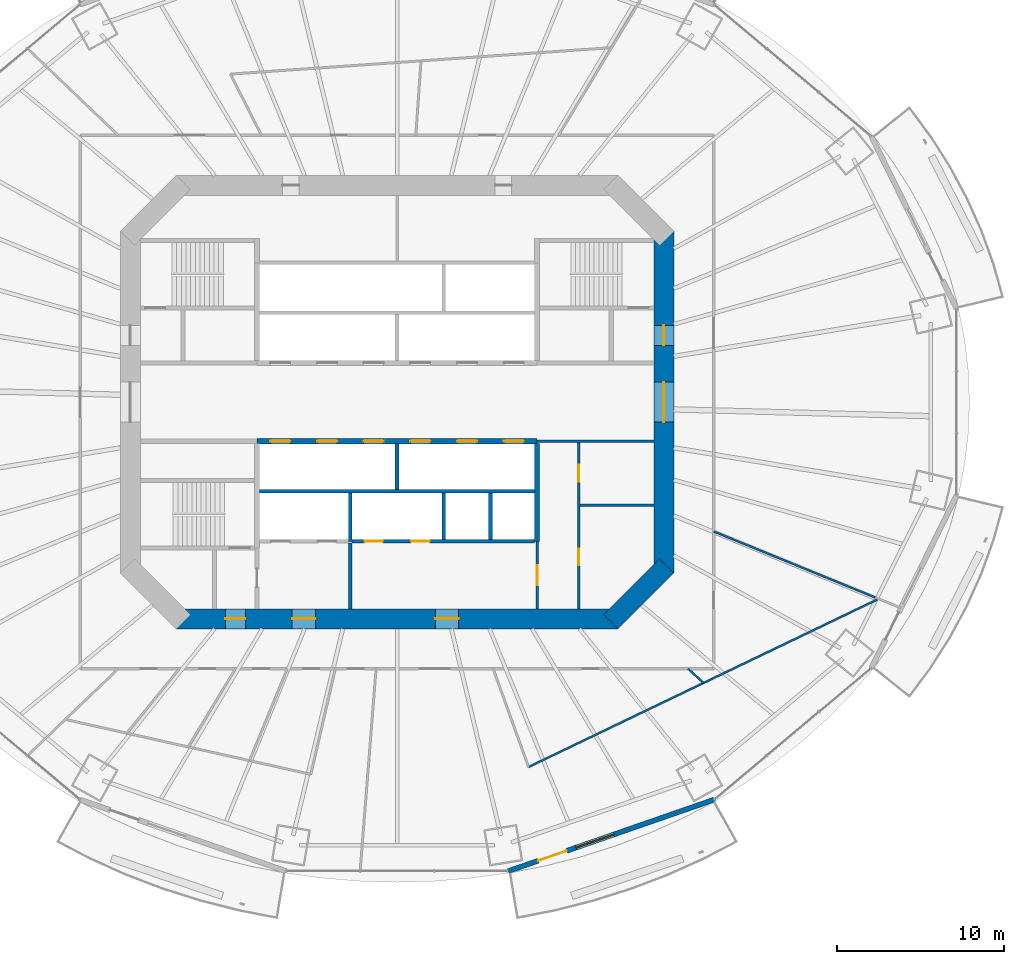
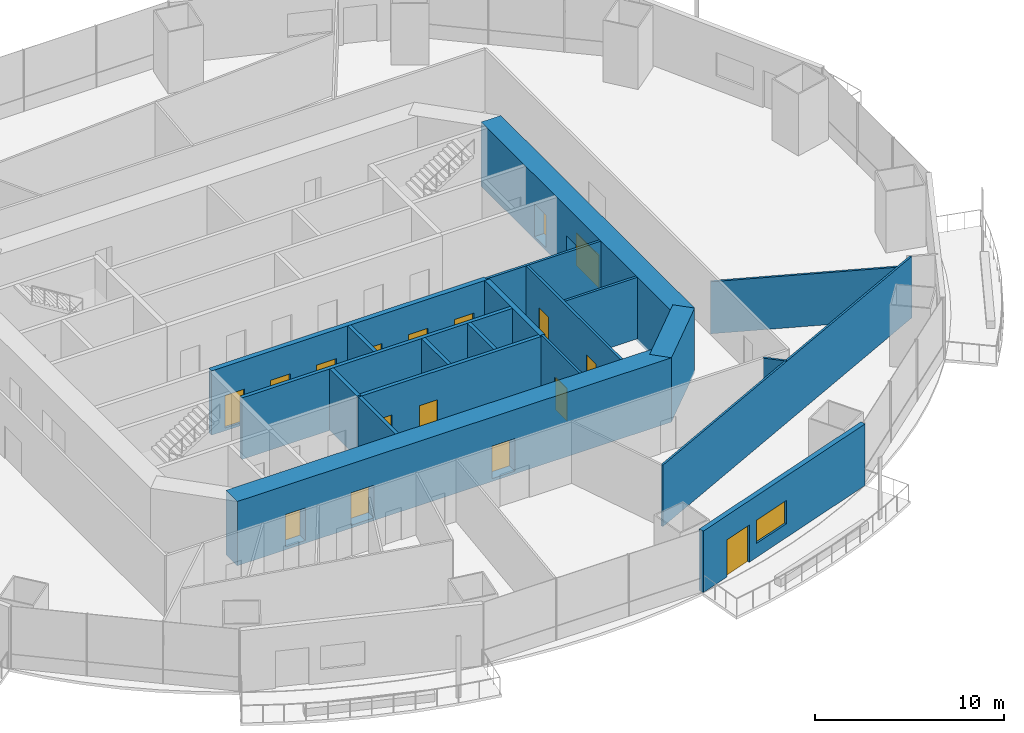
# One storey, part 14 of 22: 20 walls, 17 doors, 1 window, 18 openings.
"""IFC4 building model written with IfcOpenShell, lengths in metres."""

from ifc_helpers import new_model, si_unit, direction, frame, frame_2d, origin, place, context, subcontext, project, spatial, rectangle, extrude, material, layer, layer_set, type_object, element, fill, save


model = new_model("IFC4")

# Units and contexts
model_context = context("Model", 3, precision=1e-05, world=origin(), true_north=direction((0.0, 1.0)))
body_context = subcontext(model_context, "Body", "Model", "MODEL_VIEW")
ifc_project = project(units=[si_unit("LENGTHUNIT", "METRE"), si_unit("AREAUNIT", "SQUARE_METRE"), si_unit("VOLUMEUNIT", "CUBIC_METRE"), si_unit("PLANEANGLEUNIT", "RADIAN"), si_unit("MASSUNIT", "GRAM", prefix="KILO")], contexts=[model_context])

# Site, building, storey
site_placement = place(None, origin())
site = spatial("IfcSite", under=ifc_project, at=site_placement, CompositionType="ELEMENT")
building_placement = place(site_placement, origin())
building = spatial("IfcBuilding", under=site, at=building_placement, Name="Marenthal Gate Tower", CompositionType="ELEMENT")
storey_placement = place(building_placement, frame((0.0, 0.0, 107.699951171875)))
storey = spatial("IfcBuildingStorey", under=building, at=storey_placement, Name="L22", CompositionType="ELEMENT", Elevation=107.699951171875)

# Wall
ifc_material_1 = material(Name="Concrete 60 MPa", Category="concrete")
ifc_layer_1 = layer(ifc_material_1, 1.199951171875)
ifc_layer_set_1 = layer_set([ifc_layer_1], Name="Core shear wall 1200")
wall_type_1 = type_object("IfcWallType", Name="Core shear wall 1200", PredefinedType="SHEAR", material=ifc_layer_set_1)
wall_1_placement = place(storey_placement, frame((12.82421875, -13.17578125, -0.179931640625), z_axis=(0.0, 0.0, 1.0), x_axis=(0.707106781187, 0.707106781187, 0.0)))
element("IfcWall", 1, at=wall_1_placement, inside=storey, type_object=wall_type_1, Name="Core wall 01", PredefinedType="SHEAR", context=body_context, shape_type="SweptSolid", body=[
    extrude(rectangle(XDim=4.73974609375, YDim=1.199951171875, at=frame_2d((2.369873046875, 0.0))), origin(), (0.0, 0.0, 1.0), 4.14990234375),
])

# Wall, openings, doors
wall_2_placement = place(storey_placement, frame((16.0, -10.24853515625, -0.179931640625), z_axis=(0.0, 0.0, 1.0), x_axis=(0.0, 1.0, 0.0)))
wall_2 = element("IfcWall", 2, at=wall_2_placement, inside=storey, type_object=wall_type_1, Name="Core wall 02", PredefinedType="SHEAR", context=body_context, shape_type="SweptSolid", body=[
    extrude(rectangle(XDim=20.4970703125, YDim=1.199951171875, at=frame_2d((10.24853515625, 0.0))), origin(), (0.0, 0.0, 1.0), 4.14990234375),
])
opening_1_placement = place(wall_2_placement, frame((9.048583984375, 0.0, 0.179931640625)))
opening_1 = element("IfcOpeningElement", 3, at=opening_1_placement, cuts=wall_2, Name="Opening D003.02", PredefinedType="OPENING", context=body_context, shape_type="SweptSolid", body=[
    extrude(rectangle(XDim=2.39990234375, YDim=2.10009765625, at=frame_2d((1.199951171875, 1.050048828125))), frame((0.0, 0.60986328125, 0.0), z_axis=(0.0, -1.0, 0.0), x_axis=(1.0, 0.0, 0.0)), (0.0, 0.0, 1.0), 1.219970703125),
])
opening_2_placement = place(wall_2_placement, frame((13.6484375, 0.0, 0.179931640625)))
opening_2 = element("IfcOpeningElement", 4, at=opening_2_placement, cuts=wall_2, Name="Opening D001.05", PredefinedType="OPENING", context=body_context, shape_type="SweptSolid", body=[
    extrude(rectangle(XDim=1.199951171875, YDim=2.10009765625, at=frame_2d((0.60009765625, 1.050048828125))), frame((0.0, 0.60986328125, 0.0), z_axis=(0.0, -1.0, 0.0), x_axis=(1.0, 0.0, 0.0)), (0.0, 0.0, 1.0), 1.219970703125),
])
ifc_material_2 = material(Name="Steel fire door", Category="steel")
door_type_1 = type_object("IfcDoorType", Name="Double fire door FD 45 2400 x 2100", OperationType="DOUBLE_DOOR_SINGLE_SWING", PredefinedType="DOOR", material=ifc_material_2)
door_1_placement = place(opening_1_placement, origin())
door_1 = element("IfcDoor", 5, at=door_1_placement, inside=storey, type_object=door_type_1, Name="Door D003.02", OperationType="DOUBLE_DOOR_SINGLE_SWING", OverallHeight=2.10009765625, OverallWidth=2.39990234375, PredefinedType="DOOR", context=body_context, shape_type="SweptSolid", body=[
    extrude(rectangle(XDim=2.39990234375, YDim=2.10009765625, at=frame_2d((1.199951171875, 1.050048828125))), frame((0.0, 0.02490234375, 0.0), z_axis=(0.0, -1.0, 0.0), x_axis=(1.0, 0.0, 0.0)), (0.0, 0.0, 1.0), 0.050048828125),
])
fill(opening_1, door_1)
ifc_material_3 = material(Name="Steel fire door", Category="steel")
door_type_2 = type_object("IfcDoorType", Name="Fire door FD 90 1200 x 2100", OperationType="NOTDEFINED", PredefinedType="DOOR", material=ifc_material_3)
door_2_placement = place(opening_2_placement, origin())
door_2 = element("IfcDoor", 6, at=door_2_placement, inside=storey, type_object=door_type_2, Name="Door D001.05", OperationType="SINGLE_SWING_RIGHT", OverallHeight=2.10009765625, OverallWidth=1.199951171875, PredefinedType="DOOR", context=body_context, shape_type="SweptSolid", body=[
    extrude(rectangle(XDim=1.199951171875, YDim=2.10009765625, at=frame_2d((0.60009765625, 1.050048828125))), frame((0.0, 0.02490234375, 0.0), z_axis=(0.0, -1.0, 0.0), x_axis=(1.0, 0.0, 0.0)), (0.0, 0.0, 1.0), 0.050048828125),
])
fill(opening_2, door_2)

wall_3_placement = place(storey_placement, frame((-13.24853515625, -13.0, -0.179931640625), z_axis=(0.0, 0.0, 1.0), x_axis=(1.0, 0.0, 0.0)))
wall_3 = element("IfcWall", 7, at=wall_3_placement, inside=storey, type_object=wall_type_1, Name="Core wall 08", PredefinedType="SHEAR", context=body_context, shape_type="SweptSolid", body=[
    extrude(rectangle(XDim=26.4970703125, YDim=1.199951171875, at=frame_2d((13.24853515625, 0.0))), origin(), (0.0, 0.0, 1.0), 4.14990234375),
])
opening_3_placement = place(wall_3_placement, frame((2.948486328125, 0.0, 0.179931640625)))
opening_3 = element("IfcOpeningElement", 8, at=opening_3_placement, cuts=wall_3, Name="Opening D001.06", PredefinedType="OPENING", context=body_context, shape_type="SweptSolid", body=[
    extrude(rectangle(XDim=1.199951171875, YDim=2.10009765625, at=frame_2d((0.60009765625, 1.050048828125))), frame((0.0, 0.60986328125, 0.0), z_axis=(0.0, -1.0, 0.0), x_axis=(1.0, 0.0, 0.0)), (0.0, 0.0, 1.0), 1.219970703125),
])
opening_4_placement = place(wall_3_placement, frame((6.948486328125, 0.0, 0.179931640625)))
opening_4 = element("IfcOpeningElement", 9, at=opening_4_placement, cuts=wall_3, Name="Opening D004.01", PredefinedType="OPENING", context=body_context, shape_type="SweptSolid", body=[
    extrude(rectangle(XDim=1.39990234375, YDim=2.10009765625, at=frame_2d((0.699951171875, 1.050048828125))), frame((0.0, 0.60986328125, 0.0), z_axis=(0.0, -1.0, 0.0), x_axis=(1.0, 0.0, 0.0)), (0.0, 0.0, 1.0), 1.219970703125),
])
opening_5_placement = place(wall_3_placement, frame((15.548583984375, 0.0, 0.179931640625)))
opening_5 = element("IfcOpeningElement", 10, at=opening_5_placement, cuts=wall_3, Name="Opening D004.02", PredefinedType="OPENING", context=body_context, shape_type="SweptSolid", body=[
    extrude(rectangle(XDim=1.39990234375, YDim=2.10009765625, at=frame_2d((0.699951171875, 1.050048828125))), frame((0.0, 0.60986328125, 0.0), z_axis=(0.0, -1.0, 0.0), x_axis=(1.0, 0.0, 0.0)), (0.0, 0.0, 1.0), 1.219970703125),
])
ifc_material_4 = material(Name="Steel fire door", Category="steel")
door_type_3 = type_object("IfcDoorType", Name="Fire door FD 45 1400 x 2100", OperationType="NOTDEFINED", PredefinedType="DOOR", material=ifc_material_4)
door_3_placement = place(opening_4_placement, origin())
door_3 = element("IfcDoor", 11, at=door_3_placement, inside=storey, type_object=door_type_3, Name="Door D004.01", OperationType="SINGLE_SWING_RIGHT", OverallHeight=2.10009765625, OverallWidth=1.39990234375, PredefinedType="DOOR", context=body_context, shape_type="SweptSolid", body=[
    extrude(rectangle(XDim=1.39990234375, YDim=2.10009765625, at=frame_2d((0.699951171875, 1.050048828125))), frame((0.0, 0.02490234375, 0.0), z_axis=(0.0, -1.0, 0.0), x_axis=(1.0, 0.0, 0.0)), (0.0, 0.0, 1.0), 0.050048828125),
])
fill(opening_4, door_3)
door_4_placement = place(opening_5_placement, origin())
door_4 = element("IfcDoor", 12, at=door_4_placement, inside=storey, type_object=door_type_3, Name="Door D004.02", OperationType="SINGLE_SWING_RIGHT", OverallHeight=2.10009765625, OverallWidth=1.39990234375, PredefinedType="DOOR", context=body_context, shape_type="SweptSolid", body=[
    extrude(rectangle(XDim=1.39990234375, YDim=2.10009765625, at=frame_2d((0.699951171875, 1.050048828125))), frame((0.0, 0.02490234375, 0.0), z_axis=(0.0, -1.0, 0.0), x_axis=(1.0, 0.0, 0.0)), (0.0, 0.0, 1.0), 0.050048828125),
])
fill(opening_5, door_4)
door_5_placement = place(opening_3_placement, origin())
door_5 = element("IfcDoor", 13, at=door_5_placement, inside=storey, type_object=door_type_2, Name="Door D001.06", OperationType="SINGLE_SWING_RIGHT", OverallHeight=2.10009765625, OverallWidth=1.199951171875, PredefinedType="DOOR", context=body_context, shape_type="SweptSolid", body=[
    extrude(rectangle(XDim=1.199951171875, YDim=2.10009765625, at=frame_2d((0.60009765625, 1.050048828125))), frame((0.0, 0.02490234375, 0.0), z_axis=(0.0, -1.0, 0.0), x_axis=(1.0, 0.0, 0.0)), (0.0, 0.0, 1.0), 0.050048828125),
])
fill(opening_3, door_5)

# Wall
ifc_material_5 = material(Name="Gypsum board on steel studs", Category="steel")
ifc_layer_2 = layer(ifc_material_5, 0.199951171875)
ifc_layer_set_2 = layer_set([ifc_layer_2], Name="Fire lobby wall 200")
wall_type_2 = type_object("IfcWallType", Name="Fire lobby wall 200", PredefinedType="PARTITIONING", material=ifc_layer_set_2)
wall_4_placement = place(storey_placement, frame((-2.800048828125, -12.39990234375, 0.0), z_axis=(0.0, 0.0, 1.0), x_axis=(0.0, 1.0, 0.0)))
element("IfcWall", 14, at=wall_4_placement, inside=storey, type_object=wall_type_2, Name="Fire wall 33", PredefinedType="PARTITIONING", context=body_context, shape_type="SweptSolid", body=[
    extrude(rectangle(XDim=3.93994140625, YDim=0.199951171875, at=frame_2d((1.969970703125, 0.0))), origin(), (0.0, 0.0, 1.0), 3.969970703125),
])

# Wall, openings, doors
ifc_material_6 = material(Name="Concrete 50 MPa", Category="concrete")
ifc_layer_3 = layer(ifc_material_6, 0.300048828125)
ifc_layer_set_3 = layer_set([ifc_layer_3], Name="Hoistway shear wall 300")
wall_type_3 = type_object("IfcWallType", Name="Hoistway shear wall 300", PredefinedType="SHEAR", material=ifc_layer_set_3)
wall_5_placement = place(storey_placement, frame((-8.39990234375, -2.35009765625, -0.179931640625), z_axis=(0.0, 0.0, 1.0), x_axis=(1.0, 0.0, 0.0)))
wall_5 = element("IfcWall", 15, at=wall_5_placement, inside=storey, type_object=wall_type_3, Name="Hoistway wall 16", PredefinedType="SHEAR", context=body_context, shape_type="SweptSolid", body=[
    extrude(rectangle(XDim=16.7998046875, YDim=0.300048828125, at=frame_2d((8.39990234375, 0.0))), origin(), (0.0, 0.0, 1.0), 4.14990234375),
])
opening_6_placement = place(wall_5_placement, frame((0.800048828125, 0.0, 0.179931640625)))
opening_6 = element("IfcOpeningElement", 16, at=opening_6_placement, cuts=wall_5, Name="Opening LD-LP7", PredefinedType="OPENING", context=body_context, shape_type="SweptSolid", body=[
    extrude(rectangle(XDim=1.199951171875, YDim=2.10009765625, at=frame_2d((0.60009765625, 1.050048828125))), frame((0.0, 0.16015625, 0.0), z_axis=(0.0, -1.0, 0.0), x_axis=(1.0, 0.0, 0.0)), (0.0, 0.0, 1.0), 0.320068359375),
])
opening_7_placement = place(wall_5_placement, frame((3.60009765625, 0.0, 0.179931640625)))
opening_7 = element("IfcOpeningElement", 17, at=opening_7_placement, cuts=wall_5, Name="Opening LD-LP8", PredefinedType="OPENING", context=body_context, shape_type="SweptSolid", body=[
    extrude(rectangle(XDim=1.199951171875, YDim=2.10009765625, at=frame_2d((0.60009765625, 1.050048828125))), frame((0.0, 0.16015625, 0.0), z_axis=(0.0, -1.0, 0.0), x_axis=(1.0, 0.0, 0.0)), (0.0, 0.0, 1.0), 0.320068359375),
])
opening_8_placement = place(wall_5_placement, frame((6.39990234375, 0.0, 0.179931640625)))
opening_8 = element("IfcOpeningElement", 18, at=opening_8_placement, cuts=wall_5, Name="Opening LD-LP9", PredefinedType="OPENING", context=body_context, shape_type="SweptSolid", body=[
    extrude(rectangle(XDim=1.199951171875, YDim=2.10009765625, at=frame_2d((0.60009765625, 1.050048828125))), frame((0.0, 0.16015625, 0.0), z_axis=(0.0, -1.0, 0.0), x_axis=(1.0, 0.0, 0.0)), (0.0, 0.0, 1.0), 0.320068359375),
])
opening_9_placement = place(wall_5_placement, frame((9.199951171875, 0.0, 0.179931640625)))
opening_9 = element("IfcOpeningElement", 19, at=opening_9_placement, cuts=wall_5, Name="Opening LD-LP10", PredefinedType="OPENING", context=body_context, shape_type="SweptSolid", body=[
    extrude(rectangle(XDim=1.199951171875, YDim=2.10009765625, at=frame_2d((0.60009765625, 1.050048828125))), frame((0.0, 0.16015625, 0.0), z_axis=(0.0, -1.0, 0.0), x_axis=(1.0, 0.0, 0.0)), (0.0, 0.0, 1.0), 0.320068359375),
])
opening_10_placement = place(wall_5_placement, frame((12.0, 0.0, 0.179931640625)))
opening_10 = element("IfcOpeningElement", 20, at=opening_10_placement, cuts=wall_5, Name="Opening LD-LP11", PredefinedType="OPENING", context=body_context, shape_type="SweptSolid", body=[
    extrude(rectangle(XDim=1.199951171875, YDim=2.10009765625, at=frame_2d((0.60009765625, 1.050048828125))), frame((0.0, 0.16015625, 0.0), z_axis=(0.0, -1.0, 0.0), x_axis=(1.0, 0.0, 0.0)), (0.0, 0.0, 1.0), 0.320068359375),
])
opening_11_placement = place(wall_5_placement, frame((14.800048828125, 0.0, 0.179931640625)))
opening_11 = element("IfcOpeningElement", 21, at=opening_11_placement, cuts=wall_5, Name="Opening LD-LP12", PredefinedType="OPENING", context=body_context, shape_type="SweptSolid", body=[
    extrude(rectangle(XDim=1.199951171875, YDim=2.10009765625, at=frame_2d((0.60009765625, 1.050048828125))), frame((0.0, 0.16015625, 0.0), z_axis=(0.0, -1.0, 0.0), x_axis=(1.0, 0.0, 0.0)), (0.0, 0.0, 1.0), 0.320068359375),
])
ifc_material_7 = material(Name="Stainless steel sliding door", Category="steel")
door_type_4 = type_object("IfcDoorType", Name="Lift landing door FD 90 1200 x 2100", OperationType="DOUBLE_DOOR_SLIDING", PredefinedType="DOOR", material=ifc_material_7)
door_6_placement = place(opening_6_placement, origin())
door_6 = element("IfcDoor", 22, at=door_6_placement, inside=storey, type_object=door_type_4, Name="Lift landing door LP7", OperationType="DOUBLE_DOOR_SLIDING", OverallHeight=2.10009765625, OverallWidth=1.199951171875, PredefinedType="DOOR", context=body_context, shape_type="SweptSolid", body=[
    extrude(rectangle(XDim=1.199951171875, YDim=2.10009765625, at=frame_2d((0.60009765625, 1.050048828125))), frame((0.0, 0.02490234375, 0.0), z_axis=(0.0, -1.0, 0.0), x_axis=(1.0, 0.0, 0.0)), (0.0, 0.0, 1.0), 0.050048828125),
])
fill(opening_6, door_6)
door_7_placement = place(opening_7_placement, origin())
door_7 = element("IfcDoor", 23, at=door_7_placement, inside=storey, type_object=door_type_4, Name="Lift landing door LP8", OperationType="DOUBLE_DOOR_SLIDING", OverallHeight=2.10009765625, OverallWidth=1.199951171875, PredefinedType="DOOR", context=body_context, shape_type="SweptSolid", body=[
    extrude(rectangle(XDim=1.199951171875, YDim=2.10009765625, at=frame_2d((0.60009765625, 1.050048828125))), frame((0.0, 0.02490234375, 0.0), z_axis=(0.0, -1.0, 0.0), x_axis=(1.0, 0.0, 0.0)), (0.0, 0.0, 1.0), 0.050048828125),
])
fill(opening_7, door_7)
door_8_placement = place(opening_8_placement, origin())
door_8 = element("IfcDoor", 24, at=door_8_placement, inside=storey, type_object=door_type_4, Name="Lift landing door LP9", OperationType="DOUBLE_DOOR_SLIDING", OverallHeight=2.10009765625, OverallWidth=1.199951171875, PredefinedType="DOOR", context=body_context, shape_type="SweptSolid", body=[
    extrude(rectangle(XDim=1.199951171875, YDim=2.10009765625, at=frame_2d((0.60009765625, 1.050048828125))), frame((0.0, 0.02490234375, 0.0), z_axis=(0.0, -1.0, 0.0), x_axis=(1.0, 0.0, 0.0)), (0.0, 0.0, 1.0), 0.050048828125),
])
fill(opening_8, door_8)
door_9_placement = place(opening_9_placement, origin())
door_9 = element("IfcDoor", 25, at=door_9_placement, inside=storey, type_object=door_type_4, Name="Lift landing door LP10", OperationType="DOUBLE_DOOR_SLIDING", OverallHeight=2.10009765625, OverallWidth=1.199951171875, PredefinedType="DOOR", context=body_context, shape_type="SweptSolid", body=[
    extrude(rectangle(XDim=1.199951171875, YDim=2.10009765625, at=frame_2d((0.60009765625, 1.050048828125))), frame((0.0, 0.02490234375, 0.0), z_axis=(0.0, -1.0, 0.0), x_axis=(1.0, 0.0, 0.0)), (0.0, 0.0, 1.0), 0.050048828125),
])
fill(opening_9, door_9)
door_10_placement = place(opening_10_placement, origin())
door_10 = element("IfcDoor", 26, at=door_10_placement, inside=storey, type_object=door_type_4, Name="Lift landing door LP11", OperationType="DOUBLE_DOOR_SLIDING", OverallHeight=2.10009765625, OverallWidth=1.199951171875, PredefinedType="DOOR", context=body_context, shape_type="SweptSolid", body=[
    extrude(rectangle(XDim=1.199951171875, YDim=2.10009765625, at=frame_2d((0.60009765625, 1.050048828125))), frame((0.0, 0.02490234375, 0.0), z_axis=(0.0, -1.0, 0.0), x_axis=(1.0, 0.0, 0.0)), (0.0, 0.0, 1.0), 0.050048828125),
])
fill(opening_10, door_10)
door_11_placement = place(opening_11_placement, origin())
door_11 = element("IfcDoor", 27, at=door_11_placement, inside=storey, type_object=door_type_4, Name="Lift landing door LP12", OperationType="DOUBLE_DOOR_SLIDING", OverallHeight=2.10009765625, OverallWidth=1.199951171875, PredefinedType="DOOR", context=body_context, shape_type="SweptSolid", body=[
    extrude(rectangle(XDim=1.199951171875, YDim=2.10009765625, at=frame_2d((0.60009765625, 1.050048828125))), frame((0.0, 0.02490234375, 0.0), z_axis=(0.0, -1.0, 0.0), x_axis=(1.0, 0.0, 0.0)), (0.0, 0.0, 1.0), 0.050048828125),
])
fill(opening_11, door_11)

# Wall
wall_6_placement = place(storey_placement, frame((8.39990234375, -8.35009765625, -0.179931640625), z_axis=(0.0, 0.0, 1.0), x_axis=(0.0, 1.0, 0.0)))
element("IfcWall", 28, at=wall_6_placement, inside=storey, type_object=wall_type_3, Name="Hoistway wall 42", PredefinedType="SHEAR", context=body_context, shape_type="SweptSolid", body=[
    extrude(rectangle(XDim=5.85009765625, YDim=0.300048828125, at=frame_2d((2.925048828125, 0.0))), origin(), (0.0, 0.0, 1.0), 4.14990234375),
])

# Wall, openings, doors
ifc_material_8 = material(Name="Concrete 40 MPa", Category="concrete")
ifc_layer_4 = layer(ifc_material_8, 0.219970703125)
ifc_layer_set_4 = layer_set([ifc_layer_4], Name="Hoistway wall 220")
wall_type_4 = type_object("IfcWallType", Name="Hoistway wall 220", PredefinedType="STANDARD", material=ifc_layer_set_4)
wall_7_placement = place(storey_placement, frame((-2.68994140625, -8.35009765625, 0.0), z_axis=(0.0, 0.0, 1.0), x_axis=(1.0, 0.0, 0.0)))
wall_7 = element("IfcWall", 29, at=wall_7_placement, inside=storey, type_object=wall_type_4, Name="Hoistway wall 11", PredefinedType="STANDARD", context=body_context, shape_type="SweptSolid", body=[
    extrude(rectangle(XDim=10.93994140625, YDim=0.219970703125, at=frame_2d((5.469970703125, 0.0))), origin(), (0.0, 0.0, 1.0), 3.969970703125),
])
opening_12_placement = place(wall_7_placement, frame((0.739990234375, 0.0, 0.0)))
opening_12 = element("IfcOpeningElement", 30, at=opening_12_placement, cuts=wall_7, Name="Opening LD-SV1", PredefinedType="OPENING", context=body_context, shape_type="SweptSolid", body=[
    extrude(rectangle(XDim=1.10009765625, YDim=2.10009765625, at=frame_2d((0.550048828125, 1.050048828125))), frame((0.0, 0.1201171875, 0.0), z_axis=(0.0, -1.0, 0.0), x_axis=(1.0, 0.0, 0.0)), (0.0, 0.0, 1.0), 0.239990234375),
])
opening_13_placement = place(wall_7_placement, frame((3.5400390625, 0.0, 0.0)))
opening_13 = element("IfcOpeningElement", 31, at=opening_13_placement, cuts=wall_7, Name="Opening LD-SV2", PredefinedType="OPENING", context=body_context, shape_type="SweptSolid", body=[
    extrude(rectangle(XDim=1.10009765625, YDim=2.10009765625, at=frame_2d((0.550048828125, 1.050048828125))), frame((0.0, 0.1201171875, 0.0), z_axis=(0.0, -1.0, 0.0), x_axis=(1.0, 0.0, 0.0)), (0.0, 0.0, 1.0), 0.239990234375),
])
ifc_material_9 = material(Name="Stainless steel sliding door", Category="steel")
door_type_5 = type_object("IfcDoorType", Name="Lift landing door FD 90 1100 x 2100", OperationType="DOUBLE_DOOR_SLIDING", PredefinedType="DOOR", material=ifc_material_9)
door_12_placement = place(opening_12_placement, origin())
door_12 = element("IfcDoor", 32, at=door_12_placement, inside=storey, type_object=door_type_5, Name="Lift landing door SV1", OperationType="DOUBLE_DOOR_SLIDING", OverallHeight=2.10009765625, OverallWidth=1.10009765625, PredefinedType="DOOR", context=body_context, shape_type="SweptSolid", body=[
    extrude(rectangle(XDim=1.10009765625, YDim=2.10009765625, at=frame_2d((0.550048828125, 1.050048828125))), frame((0.0, 0.02490234375, 0.0), z_axis=(0.0, -1.0, 0.0), x_axis=(1.0, 0.0, 0.0)), (0.0, 0.0, 1.0), 0.050048828125),
])
fill(opening_12, door_12)
door_13_placement = place(opening_13_placement, origin())
door_13 = element("IfcDoor", 33, at=door_13_placement, inside=storey, type_object=door_type_5, Name="Lift landing door SV2", OperationType="DOUBLE_DOOR_SLIDING", OverallHeight=2.10009765625, OverallWidth=1.10009765625, PredefinedType="DOOR", context=body_context, shape_type="SweptSolid", body=[
    extrude(rectangle(XDim=1.10009765625, YDim=2.10009765625, at=frame_2d((0.550048828125, 1.050048828125))), frame((0.0, 0.02490234375, 0.0), z_axis=(0.0, -1.0, 0.0), x_axis=(1.0, 0.0, 0.0)), (0.0, 0.0, 1.0), 0.050048828125),
])
fill(opening_13, door_13)

# Walls
wall_8_placement = place(storey_placement, frame((-8.25, -5.35009765625, 0.0), z_axis=(0.0, 0.0, 1.0), x_axis=(1.0, 0.0, 0.0)))
element("IfcWall", 34, at=wall_8_placement, inside=storey, type_object=wall_type_4, Name="Hoistway wall 13", PredefinedType="STANDARD", context=body_context, shape_type="SweptSolid", body=[
    extrude(rectangle(XDim=16.5, YDim=0.219970703125, at=frame_2d((8.25, 0.0))), origin(), (0.0, 0.0, 1.0), 3.969970703125),
])
wall_9_placement = place(storey_placement, frame((-2.800048828125, -8.35009765625, 0.0), z_axis=(0.0, 0.0, 1.0), x_axis=(0.0, 1.0, 0.0)))
element("IfcWall", 35, at=wall_9_placement, inside=storey, type_object=wall_type_4, Name="Hoistway wall 34", PredefinedType="STANDARD", context=body_context, shape_type="SweptSolid", body=[
    extrude(rectangle(XDim=2.89013671875, YDim=0.219970703125, at=frame_2d((1.445068359375, 0.0))), origin(), (0.0, 0.0, 1.0), 3.969970703125),
])
wall_10_placement = place(storey_placement, frame((0.0, -5.239990234375, 0.0), z_axis=(0.0, 0.0, 1.0), x_axis=(0.0, 1.0, 0.0)))
element("IfcWall", 36, at=wall_10_placement, inside=storey, type_object=wall_type_4, Name="Hoistway wall 35", PredefinedType="STANDARD", context=body_context, shape_type="SweptSolid", body=[
    extrude(rectangle(XDim=2.739990234375, YDim=0.219970703125, at=frame_2d((1.3701171875, 0.0))), origin(), (0.0, 0.0, 1.0), 3.969970703125),
])
for number, where, z_axis, x_axis, name in (
    (37, (2.800048828125, -8.239990234375, 0.0), (0.0, 0.0, 1.0), (0.0, 1.0, 0.0), "Hoistway wall 38"),
    (38, (5.60009765625, -8.239990234375, 0.0), (0.0, 0.0, 1.0), (0.0, 1.0, 0.0), "Hoistway wall 40"),
):
    element("IfcWall", number, at=place(storey_placement, frame(where, z_axis=z_axis, x_axis=x_axis)), inside=storey, type_object=wall_type_4, Name=name, PredefinedType="STANDARD", context=body_context, shape_type="SweptSolid", body=[
        extrude(rectangle(XDim=2.780029296875, YDim=0.219970703125, at=frame_2d((1.39013671875, 0.0))), origin(), (0.0, 0.0, 1.0), 3.969970703125),
    ])
ifc_material_10 = material(Name="Gypsum board on steel studs", Category="steel")
ifc_layer_5 = layer(ifc_material_10, 0.1201171875)
ifc_layer_set_5 = layer_set([ifc_layer_5], Name="Partition 120")
wall_type_5 = type_object("IfcWallType", Name="Partition 120", PredefinedType="PARTITIONING", material=ifc_layer_set_5)
wall_11_placement = place(storey_placement, frame((7.887451171875, -21.892333984375, 0.0), z_axis=(0.0, 0.0, 1.0), x_axis=(0.901432619072, 0.432919430463, 0.0)))
element("IfcWall", 39, at=wall_11_placement, inside=storey, type_object=wall_type_5, Name="Partition wall 59", PredefinedType="PARTITIONING", context=body_context, shape_type="SweptSolid", body=[
    extrude(rectangle(XDim=23.30029296875, YDim=0.1201171875, at=frame_2d((11.650146484375, 0.0))), origin(), (0.0, 0.0, 1.0), 3.969970703125),
])
wall_12_placement = place(storey_placement, frame((18.38916015625, -16.848876953125, 0.0), z_axis=(0.0, 0.0, 1.0), x_axis=(-0.737234794409, 0.675636631565, 0.0)))
element("IfcWall", 40, at=wall_12_placement, inside=storey, type_object=wall_type_5, Name="Partition wall 63", PredefinedType="PARTITIONING", context=body_context, shape_type="SweptSolid", body=[
    extrude(rectangle(XDim=1.25634765625, YDim=0.1201171875, at=frame_2d((0.628173828125, 0.0))), origin(), (0.0, 0.0, 1.0), 3.969970703125),
])
wall_13_placement = place(storey_placement, frame((19.0, -7.763427734375, 0.0), z_axis=(0.0, 0.0, 1.0), x_axis=(0.925699985713, -0.37825855767, 0.0)))
element("IfcWall", 41, at=wall_13_placement, inside=storey, type_object=wall_type_5, Name="Partition wall 65", PredefinedType="PARTITIONING", context=body_context, shape_type="SweptSolid", body=[
    extrude(rectangle(XDim=10.465087890625, YDim=0.1201171875, at=frame_2d((5.232421875, 0.0))), origin(), (0.0, 0.0, 1.0), 3.358154296875),
])
ifc_material_11 = material(Name="Gypsum board on steel studs", Category="steel")
ifc_layer_6 = layer(ifc_material_11, 0.14990234375)
ifc_layer_set_6 = layer_set([ifc_layer_6], Name="Partition 150")
wall_type_6 = type_object("IfcWallType", Name="Partition 150", PredefinedType="PARTITIONING", material=ifc_layer_set_6)
wall_14_placement = place(storey_placement, frame((10.97509765625, -6.199951171875, 0.0), z_axis=(0.0, 0.0, 1.0), x_axis=(1.0, 0.0, 0.0)))
element("IfcWall", 42, at=wall_14_placement, inside=storey, type_object=wall_type_6, Name="Partition wall 12", PredefinedType="PARTITIONING", context=body_context, shape_type="SweptSolid", body=[
    extrude(rectangle(XDim=4.4248046875, YDim=0.14990234375, at=frame_2d((2.21240234375, 0.0))), origin(), (0.0, 0.0, 1.0), 3.969970703125),
])
wall_15_placement = place(storey_placement, frame((8.39990234375, -2.35009765625, 0.0), z_axis=(0.0, 0.0, 1.0), x_axis=(1.0, 0.0, 0.0)))
element("IfcWall", 43, at=wall_15_placement, inside=storey, type_object=wall_type_6, Name="Partition wall 17", PredefinedType="PARTITIONING", context=body_context, shape_type="SweptSolid", body=[
    extrude(rectangle(XDim=7.0, YDim=0.14990234375, at=frame_2d((3.5, 0.0))), origin(), (0.0, 0.0, 1.0), 3.969970703125),
])

# Wall, opening, door
wall_16_placement = place(storey_placement, frame((8.39990234375, -12.39990234375, 0.0), z_axis=(0.0, 0.0, 1.0), x_axis=(0.0, 1.0, 0.0)))
wall_16 = element("IfcWall", 44, at=wall_16_placement, inside=storey, type_object=wall_type_6, Name="Partition wall 41", PredefinedType="PARTITIONING", context=body_context, shape_type="SweptSolid", body=[
    extrude(rectangle(XDim=4.0498046875, YDim=0.14990234375, at=frame_2d((2.02490234375, 0.0))), origin(), (0.0, 0.0, 1.0), 3.969970703125),
])
opening_14_placement = place(wall_16_placement, frame((1.425048828125, 0.0, 0.0)))
opening_14 = element("IfcOpeningElement", 45, at=opening_14_placement, cuts=wall_16, Name="Opening D006.01", PredefinedType="OPENING", context=body_context, shape_type="SweptSolid", body=[
    extrude(rectangle(XDim=1.199951171875, YDim=2.10009765625, at=frame_2d((0.60009765625, 1.050048828125))), frame((0.0, 0.0849609375, 0.0), z_axis=(0.0, -1.0, 0.0), x_axis=(1.0, 0.0, 0.0)), (0.0, 0.0, 1.0), 0.169921875),
])
ifc_material_12 = material(Name="Steel fire door", Category="steel")
door_type_6 = type_object("IfcDoorType", Name="Fire door FD 45 1200 x 2100", OperationType="NOTDEFINED", PredefinedType="DOOR", material=ifc_material_12)
door_14_placement = place(opening_14_placement, frame((1.199951171875, 0.0, 0.0), z_axis=(0.0, 0.0, 1.0), x_axis=(-1.0, 0.0, 0.0)))
door_14 = element("IfcDoor", 46, at=door_14_placement, inside=storey, type_object=door_type_6, Name="Door D006.01", OperationType="SINGLE_SWING_LEFT", OverallHeight=2.10009765625, OverallWidth=1.199951171875, PredefinedType="DOOR", context=body_context, shape_type="SweptSolid", body=[
    extrude(rectangle(XDim=1.199951171875, YDim=2.10009765625, at=frame_2d((0.60009765625, 1.050048828125))), frame((0.0, 0.02490234375, 0.0), z_axis=(0.0, -1.0, 0.0), x_axis=(1.0, 0.0, 0.0)), (0.0, 0.0, 1.0), 0.050048828125),
])
fill(opening_14, door_14)

# Wall, openings, doors
wall_17_placement = place(storey_placement, frame((10.89990234375, -12.39990234375, 0.0), z_axis=(0.0, 0.0, 1.0), x_axis=(0.0, 1.0, 0.0)))
wall_17 = element("IfcWall", 47, at=wall_17_placement, inside=storey, type_object=wall_type_6, Name="Partition wall 45", PredefinedType="PARTITIONING", context=body_context, shape_type="SweptSolid", body=[
    extrude(rectangle(XDim=9.974853515625, YDim=0.14990234375, at=frame_2d((4.9873046875, 0.0))), origin(), (0.0, 0.0, 1.0), 3.969970703125),
])
opening_15_placement = place(wall_17_placement, frame((7.625, 0.0, 0.0)))
opening_15 = element("IfcOpeningElement", 48, at=opening_15_placement, cuts=wall_17, Name="Opening D005.03", PredefinedType="OPENING", context=body_context, shape_type="SweptSolid", body=[
    extrude(rectangle(XDim=1.0, YDim=2.10009765625, at=frame_2d((0.5, 1.050048828125))), frame((0.0, 0.0849609375, 0.0), z_axis=(0.0, -1.0, 0.0), x_axis=(1.0, 0.0, 0.0)), (0.0, 0.0, 1.0), 0.169921875),
])
opening_16_placement = place(wall_17_placement, frame((2.60009765625, 0.0, 0.0)))
opening_16 = element("IfcOpeningElement", 49, at=opening_16_placement, cuts=wall_17, Name="Opening D005.04", PredefinedType="OPENING", context=body_context, shape_type="SweptSolid", body=[
    extrude(rectangle(XDim=1.0, YDim=2.10009765625, at=frame_2d((0.5, 1.050048828125))), frame((0.0, 0.0849609375, 0.0), z_axis=(0.0, -1.0, 0.0), x_axis=(1.0, 0.0, 0.0)), (0.0, 0.0, 1.0), 0.169921875),
])
ifc_material_13 = material(Name="Steel fire door", Category="steel")
door_type_7 = type_object("IfcDoorType", Name="Fire door FD 45 1000 x 2100", OperationType="NOTDEFINED", PredefinedType="DOOR", material=ifc_material_13)
door_15_placement = place(opening_15_placement, frame((1.0, 0.0, 0.0), z_axis=(0.0, 0.0, 1.0), x_axis=(-1.0, 0.0, 0.0)))
door_15 = element("IfcDoor", 50, at=door_15_placement, inside=storey, type_object=door_type_7, Name="Door D005.03", OperationType="SINGLE_SWING_LEFT", OverallHeight=2.10009765625, OverallWidth=1.0, PredefinedType="DOOR", context=body_context, shape_type="SweptSolid", body=[
    extrude(rectangle(XDim=1.0, YDim=2.10009765625, at=frame_2d((0.5, 1.050048828125))), frame((0.0, 0.02490234375, 0.0), z_axis=(0.0, -1.0, 0.0), x_axis=(1.0, 0.0, 0.0)), (0.0, 0.0, 1.0), 0.050048828125),
])
fill(opening_15, door_15)
door_16_placement = place(opening_16_placement, frame((1.0, 0.0, 0.0), z_axis=(0.0, 0.0, 1.0), x_axis=(-1.0, 0.0, 0.0)))
door_16 = element("IfcDoor", 51, at=door_16_placement, inside=storey, type_object=door_type_7, Name="Door D005.04", OperationType="SINGLE_SWING_LEFT", OverallHeight=2.10009765625, OverallWidth=1.0, PredefinedType="DOOR", context=body_context, shape_type="SweptSolid", body=[
    extrude(rectangle(XDim=1.0, YDim=2.10009765625, at=frame_2d((0.5, 1.050048828125))), frame((0.0, 0.02490234375, 0.0), z_axis=(0.0, -1.0, 0.0), x_axis=(1.0, 0.0, 0.0)), (0.0, 0.0, 1.0), 0.050048828125),
])
fill(opening_16, door_16)

# Wall, openings, door, window
ifc_material_14 = material(Name="Terracotta cladding on insulated concrete-block backing", Category="masonry")
ifc_layer_7 = layer(ifc_material_14, 0.300048828125)
ifc_layer_set_7 = layer_set([ifc_layer_7], Name="Terracotta facade wall 300")
wall_type_7 = type_object("IfcWallType", Name="Terracotta facade wall 300", PredefinedType="SOLIDWALL", material=ifc_layer_set_7)
wall_18_placement = place(storey_placement, frame((6.67724609375, -28.13671875, 0.0), z_axis=(0.0, 0.0, 1.0), x_axis=(0.944684524645, 0.327980409318, 0.0)))
wall_18 = element("IfcWall", 52, at=wall_18_placement, inside=storey, type_object=wall_type_7, Name="Terracotta facade wall L22 bay 13", PredefinedType="SOLIDWALL", context=body_context, shape_type="SweptSolid", body=[
    extrude(rectangle(XDim=13.06005859375, YDim=0.300048828125, at=frame_2d((6.530029296875, 0.0))), origin(), (0.0, 0.0, 1.0), 3.969970703125),
])
opening_17_placement = place(wall_18_placement, frame((1.89990234375, 0.0, 0.0)))
opening_17 = element("IfcOpeningElement", 53, at=opening_17_placement, cuts=wall_18, Name="Opening BD-L22-13", PredefinedType="OPENING", context=body_context, shape_type="SweptSolid", body=[
    extrude(rectangle(XDim=1.800048828125, YDim=2.39990234375, at=frame_2d((0.89990234375, 1.199951171875))), frame((0.0, 0.16015625, 0.0), z_axis=(0.0, -1.0, 0.0), x_axis=(1.0, 0.0, 0.0)), (0.0, 0.0, 1.0), 0.320068359375),
])
opening_18_placement = place(wall_18_placement, frame((4.300048828125, 0.0, 0.89990234375)))
opening_18 = element("IfcOpeningElement", 54, at=opening_18_placement, cuts=wall_18, Name="Opening WN1-L22-13", PredefinedType="OPENING", context=body_context, shape_type="SweptSolid", body=[
    extrude(rectangle(XDim=2.39990234375, YDim=1.5, at=frame_2d((1.199951171875, 0.75))), frame((0.0, 0.16015625, 0.0), z_axis=(0.0, -1.0, 0.0), x_axis=(1.0, 0.0, 0.0)), (0.0, 0.0, 1.0), 0.320068359375),
])
ifc_material_15 = material(Name="Aluminium and glass", Category="aluminium")
door_type_8 = type_object("IfcDoorType", Name="Balcony door 1800x2400", OperationType="DOUBLE_DOOR_SINGLE_SWING", PredefinedType="DOOR", material=ifc_material_15)
door_17_placement = place(opening_17_placement, origin())
door_17 = element("IfcDoor", 55, at=door_17_placement, inside=storey, type_object=door_type_8, Name="Balcony door L22 bay 13", OperationType="SINGLE_SWING_LEFT", OverallHeight=2.39990234375, OverallWidth=1.800048828125, PredefinedType="DOOR", context=body_context, shape_type="SweptSolid", body=[
    extrude(rectangle(XDim=1.800048828125, YDim=2.39990234375, at=frame_2d((0.89990234375, 1.199951171875))), frame((0.0, 0.02490234375, 0.0), z_axis=(0.0, -1.0, 0.0), x_axis=(1.0, 0.0, 0.0)), (0.0, 0.0, 1.0), 0.050048828125),
])
fill(opening_17, door_17)
ifc_material_16 = material(Name="Aluminium and glass", Category="aluminium")
window_type = type_object("IfcWindowType", Name="Window 2400x1500", PartitioningType="TRIPLE_PANEL_VERTICAL", PredefinedType="WINDOW", material=ifc_material_16)
window_placement = place(opening_18_placement, origin())
window = element("IfcWindow", 56, at=window_placement, inside=storey, type_object=window_type, Name="Window L22 bay 13", OverallHeight=1.5, OverallWidth=2.39990234375, PartitioningType="SINGLE_PANEL", PredefinedType="WINDOW", context=body_context, shape_type="SweptSolid", body=[
    extrude(rectangle(XDim=2.39990234375, YDim=1.5, at=frame_2d((1.199951171875, 0.75))), frame((0.0, 0.030029296875, 0.0), z_axis=(0.0, -1.0, 0.0), x_axis=(1.0, 0.0, 0.0)), (0.0, 0.0, 1.0), 0.06005859375),
])
fill(opening_18, window)

save(model, "model.ifc")
